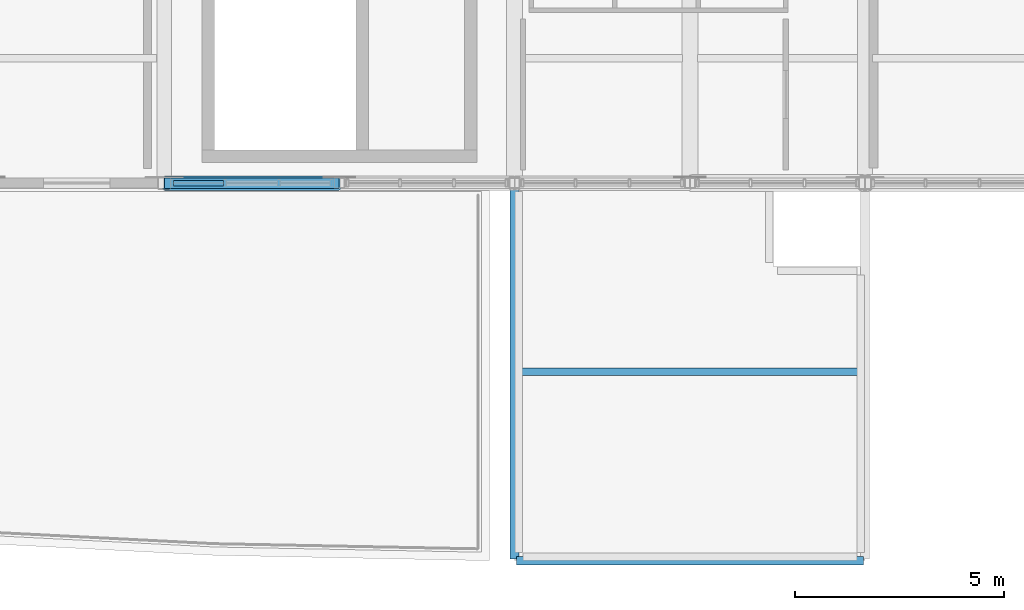
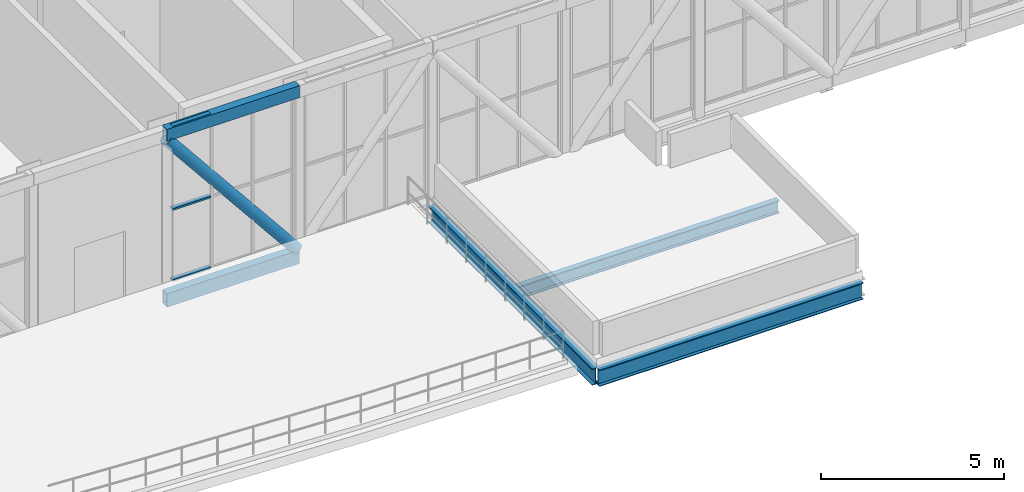
# One storey, part 28 of 58: 6 members, 3 beams, 1 element without a shape of its own.
"""IFC4 building model written with IfcOpenShell, lengths in metres."""

from ifc_helpers import new_model, si_unit, direction, frame, origin, origin_2d, place, context, subcontext, project, spatial, hollow_rectangle, hollow_circle, i_section, extrude, material, material_profile, profile_set, type_object, element, aggregate, save


model = new_model("IFC4")

# Units and contexts
model_context = context("Model", 3, precision=1e-05, world=origin(), true_north=direction((0.0, 1.0)))
body_context = subcontext(model_context, "Body", "Model", "MODEL_VIEW")
ifc_project = project(units=[si_unit("LENGTHUNIT", "METRE"), si_unit("AREAUNIT", "SQUARE_METRE"), si_unit("VOLUMEUNIT", "CUBIC_METRE"), si_unit("PLANEANGLEUNIT", "RADIAN"), si_unit("MASSUNIT", "GRAM", prefix="KILO")], contexts=[model_context])

# Site, building, storey
site_placement = place(None, origin())
site = spatial("IfcSite", under=ifc_project, at=site_placement, CompositionType="ELEMENT")
building_placement = place(site_placement, origin())
building = spatial("IfcBuilding", under=site, at=building_placement, Name="Khurvash Pelagic Aquarium", CompositionType="ELEMENT")
storey_placement = place(building_placement, frame((0.0, 0.0, 24.60009765625)))
storey = spatial("IfcBuildingStorey", under=building, at=storey_placement, Name="L05", CompositionType="ELEMENT", Elevation=24.60009765625)

# Beams
ifc_material_1 = material(Name="Steel ASTM A992 Grade 50", Category="steel")
ifc_material_profile_1 = material_profile(ifc_material_1, i_section(OverallWidth=0.214111328125, OverallDepth=0.549072265625, WebThickness=0.0146484375, FlangeThickness=0.023681640625, at=origin_2d()), Name="W21X93")
ifc_profile_set_1 = profile_set([ifc_material_profile_1], Name="Steel ASTM A992 Grade 50")
beam_type_1 = type_object("IfcBeamType", Name="BM-11", PredefinedType="BEAM", material=ifc_profile_set_1)
beam_1_placement = place(storey_placement, frame((100.840087890625, 2.60009765625, -0.594482421875), z_axis=(1.0, 0.0, 0.0), x_axis=(0.0, 1.0, 0.0)))
element("IfcBeam", 1, at=beam_1_placement, inside=storey, type_object=beam_type_1, Name="L05 Roof Girder BM-11 01257", PredefinedType="BEAM", context=body_context, shape_type="SweptSolid", body=[
    extrude(i_section(OverallWidth=0.214111328125, OverallDepth=0.549072265625, WebThickness=0.0146484375, FlangeThickness=0.023681640625, at=origin_2d()), origin(), (0.0, 0.0, 1.0), 8.31982421875),
])
beam_2_placement = place(storey_placement, frame((100.800048828125, 2.639892578125, -0.594482421875), z_axis=(0.0, 1.0, 0.0), x_axis=(-1.0, 0.0, 0.0)))
element("IfcBeam", 2, at=beam_2_placement, inside=storey, type_object=beam_type_1, Name="L05 Roof Girder BM-11 01287", PredefinedType="BEAM", context=body_context, shape_type="SweptSolid", body=[
    extrude(i_section(OverallWidth=0.214111328125, OverallDepth=0.549072265625, WebThickness=0.0146484375, FlangeThickness=0.023681640625, at=origin_2d()), origin(), (0.0, 0.0, 1.0), 8.97021484375),
])

# Curtain wall, members
ifc_material_2 = material(Name="Anodised aluminium and low-E laminated glass", Category="aluminium")
curtain_wall_type = type_object("IfcCurtainWallType", Name="CW-01", PredefinedType="USERDEFINED", material=ifc_material_2)
curtain_wall_placement = place(storey_placement, origin())
curtain_wall = element("IfcCurtainWall", 3, at=curtain_wall_placement, inside=storey, type_object=curtain_wall_type, Name="L05 South Sky-Bar Unitised Curtain Wall CW-01 P20", ObjectType="UNITISED CURTAIN WALL", PredefinedType="USERDEFINED")
ifc_material_3 = material(Name="Extruded aluminium AW-6063-T6", Category="aluminium")
ifc_material_profile_2 = material_profile(ifc_material_3, hollow_rectangle(XDim=0.139892578125, YDim=0.06005859375, WallThickness=0.00390625, at=origin_2d()), Name="CWT140X60X4")
ifc_profile_set_2 = profile_set([ifc_material_profile_2], Name="Extruded aluminium AW-6063-T6")
member_type_1 = type_object("IfcMemberType", Name="CT-01", PredefinedType="USERDEFINED", material=ifc_profile_set_2)
member_1_placement = place(storey_placement, frame((92.6201171875, 11.64990234375, 0.02978515625), z_axis=(1.0, 0.0, 0.0), x_axis=(0.0, 1.0, 0.0)))
member_1 = element("IfcMember", 4, at=member_1_placement, type_object=member_type_1, Name="CW-01 transom 1.1", ObjectType="TRANSOM", PredefinedType="USERDEFINED", context=body_context, shape_type="SweptSolid", body=[
    extrude(hollow_rectangle(XDim=0.139892578125, YDim=0.06005859375, WallThickness=0.00390625, at=origin_2d()), origin(), (0.0, 0.0, 1.0), 1.203125),
])
member_2_placement = place(storey_placement, frame((92.6201171875, 11.64990234375, 2.39990234375), z_axis=(1.0, 0.0, 0.0), x_axis=(0.0, 1.0, 0.0)))
member_2 = element("IfcMember", 5, at=member_2_placement, type_object=member_type_1, Name="CW-01 transom 1.2", ObjectType="TRANSOM", PredefinedType="USERDEFINED", context=body_context, shape_type="SweptSolid", body=[
    extrude(hollow_rectangle(XDim=0.139892578125, YDim=0.06005859375, WallThickness=0.00390625, at=origin_2d()), origin(), (0.0, 0.0, 1.0), 1.203125),
])
member_3_placement = place(storey_placement, frame((92.6201171875, 11.64990234375, 5.14990234375), z_axis=(1.0, 0.0, 0.0), x_axis=(0.0, 1.0, 0.0)))
member_3 = element("IfcMember", 6, at=member_3_placement, type_object=member_type_1, Name="CW-01 transom 1.3", ObjectType="TRANSOM", PredefinedType="USERDEFINED", context=body_context, shape_type="SweptSolid", body=[
    extrude(hollow_rectangle(XDim=0.139892578125, YDim=0.06005859375, WallThickness=0.00390625, at=origin_2d()), origin(), (0.0, 0.0, 1.0), 1.203125),
])
aggregate(curtain_wall, [member_1, member_2, member_3])

# Beam
ifc_material_profile_3 = material_profile(ifc_material_1, i_section(OverallWidth=0.180908203125, OverallDepth=0.4169921875, WebThickness=0.010986328125, FlangeThickness=0.018310546875, at=origin_2d()), Name="W16X57")
ifc_profile_set_3 = profile_set([ifc_material_profile_3], Name="Steel ASTM A992 Grade 50")
beam_type_2 = type_object("IfcBeamType", Name="JS-03", PredefinedType="JOIST", material=ifc_profile_set_3)
beam_3_placement = place(storey_placement, frame((100.860107421875, 7.125, -0.528564453125), z_axis=(1.0, 0.0, 0.0), x_axis=(0.0, 1.0, 0.0)))
element("IfcBeam", 7, at=beam_3_placement, inside=storey, type_object=beam_type_2, Name="L05 Roof Joist JS-03", PredefinedType="JOIST", context=body_context, shape_type="SweptSolid", body=[
    extrude(i_section(OverallWidth=0.180908203125, OverallDepth=0.4169921875, WebThickness=0.010986328125, FlangeThickness=0.018310546875, at=origin_2d()), origin(), (0.0, 0.0, 1.0), 8.27978515625),
])

# Members
ifc_material_4 = material(Name="Steel S355J2", Category="steel")
ifc_material_profile_4 = material_profile(ifc_material_4, hollow_rectangle(XDim=0.25, YDim=0.449951171875, WallThickness=0.02001953125, at=origin_2d()), Name="RHS450X250X20")
ifc_profile_set_4 = profile_set([ifc_material_profile_4], Name="Steel S355J2")
member_type_2 = type_object("IfcMemberType", Name="TC-01", PredefinedType="CHORD", material=ifc_profile_set_4)
member_4_placement = place(storey_placement, frame((92.409912109375, 11.64990234375, -0.525146484375), z_axis=(1.0, 0.0, 0.0), x_axis=(0.0, 1.0, 0.0)))
element("IfcMember", 8, at=member_4_placement, inside=storey, type_object=member_type_2, Name="L05 South Sky-Bar Warren Truss Bottom Chord TC-01 P20", PredefinedType="CHORD", context=body_context, shape_type="SweptSolid", body=[
    extrude(hollow_rectangle(XDim=0.25, YDim=0.449951171875, WallThickness=0.02001953125, at=origin_2d()), origin(), (0.0, 0.0, 1.0), 4.18017578125),
])
ifc_material_profile_5 = material_profile(ifc_material_4, hollow_rectangle(XDim=0.25, YDim=0.39990234375, WallThickness=0.01611328125, at=origin_2d()), Name="RHS400X250X16")
ifc_profile_set_5 = profile_set([ifc_material_profile_5], Name="Steel S355J2")
member_type_3 = type_object("IfcMemberType", Name="TC-02", PredefinedType="CHORD", material=ifc_profile_set_5)
member_5_placement = place(storey_placement, frame((92.409912109375, 11.64990234375, 4.97998046875), z_axis=(1.0, 0.0, 0.0), x_axis=(0.0, 1.0, 0.0)))
element("IfcMember", 9, at=member_5_placement, inside=storey, type_object=member_type_3, Name="L05 South Sky-Bar Warren Truss Top Chord TC-02 P20", PredefinedType="CHORD", context=body_context, shape_type="SweptSolid", body=[
    extrude(hollow_rectangle(XDim=0.25, YDim=0.39990234375, WallThickness=0.01611328125, at=origin_2d()), origin(), (0.0, 0.0, 1.0), 4.18017578125),
])
ifc_material_profile_6 = material_profile(ifc_material_4, hollow_circle(Radius=0.177734375, WallThickness=0.01416015625, at=origin_2d()), Name="CHS355X14")
ifc_profile_set_6 = profile_set([ifc_material_profile_6], Name="Steel S355J2")
member_type_4 = type_object("IfcMemberType", Name="TD-02", PredefinedType="BRACE", material=ifc_profile_set_6)
member_6_placement = place(storey_placement, frame((92.449951171875, 11.64990234375, 4.77978515625), z_axis=(0.628073304864, 0.0, -0.778154177343), x_axis=(0.0, 1.0, 0.0)))
element("IfcMember", 10, at=member_6_placement, inside=storey, type_object=member_type_4, Name="L05 South Sky-Bar Warren Truss Diagonal TD-02 P20", PredefinedType="BRACE", context=body_context, shape_type="SweptSolid", body=[
    extrude(hollow_circle(Radius=0.177734375, WallThickness=0.01416015625, at=origin_2d()), origin(), (0.0, 0.0, 1.0), 6.528076171875),
])

save(model, "model.ifc")
